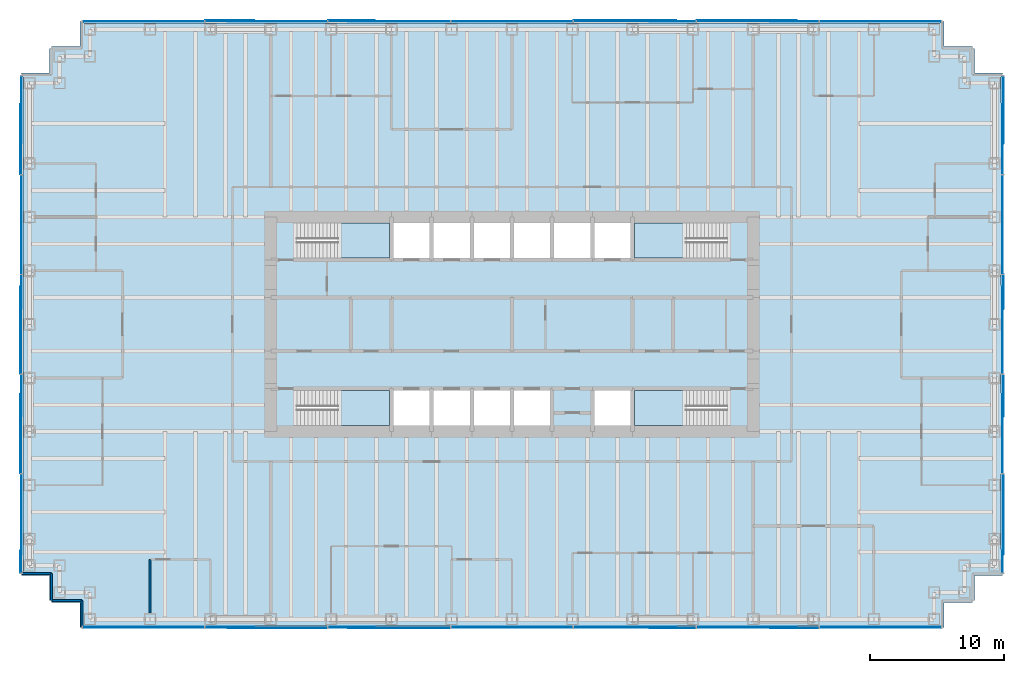
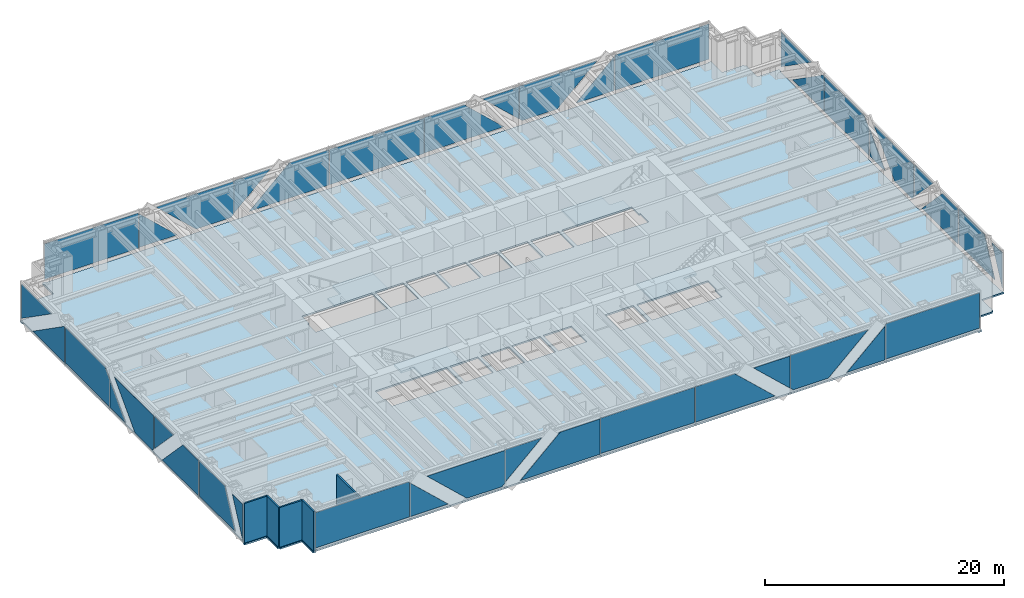
# One storey, part 10 of 15: 40 plates, 5 slabs, 5 walls, 8 elements without a shape of their own.
"""IFC4 building model written with IfcOpenShell, lengths in metres."""

from ifc_helpers import new_model, si_unit, direction, frame, frame_2d, origin, origin_2d, place, context, subcontext, project, spatial, polyline, rectangle, outline, extrude, material, layer, layer_set, type_object, element, aggregate, save


model = new_model("IFC4")

# Units and contexts
model_context = context("Model", 3, precision=1e-05, world=origin(), true_north=direction((0.0, 1.0)))
body_context = subcontext(model_context, "Body", "Model", "MODEL_VIEW")
ifc_project = project(units=[si_unit("LENGTHUNIT", "METRE"), si_unit("AREAUNIT", "SQUARE_METRE"), si_unit("VOLUMEUNIT", "CUBIC_METRE"), si_unit("PLANEANGLEUNIT", "RADIAN"), si_unit("MASSUNIT", "GRAM", prefix="KILO")], contexts=[model_context])

# Site, building, storey
site_placement = place(None, origin())
site = spatial("IfcSite", under=ifc_project, at=site_placement, CompositionType="ELEMENT")
building_placement = place(site_placement, origin())
building = spatial("IfcBuilding", under=site, at=building_placement, Name="Rheinbord Bourse Tower", CompositionType="ELEMENT")
storey_placement = place(building_placement, frame((0.0, 0.0, 142.5)))
storey = spatial("IfcBuildingStorey", under=building, at=storey_placement, Name="L31", CompositionType="ELEMENT", Elevation=142.5)

# Slab
ifc_material_1 = material(Name="Concrete C30/37", Category="concrete")
ifc_layer_1 = layer(ifc_material_1, 0.159912109375)
ifc_layer_set_1 = layer_set([ifc_layer_1], Name="COMPOSITE FLOOR SLAB 160")
slab_type_1 = type_object("IfcSlabType", Name="COMPOSITE FLOOR SLAB 160", PredefinedType="FLOOR", material=ifc_layer_set_1)
slab_1_placement = place(storey_placement, frame((0.0, 0.0, -0.159912109375)))
element("IfcSlab", 1, at=slab_1_placement, inside=storey, type_object=slab_type_1, Name="Floor slab L31", PredefinedType="FLOOR", context=body_context, shape_type="SweptSolid", body=[
    extrude(outline(polyline([(1.64990234375, 3.39990234375), (1.5, 3.39990234375), (1.5, 5.25), (-0.60009765625, 5.25), (-0.60009765625, 5.550048828125), (-0.5, 5.550048828125), (-0.5, 42.449951171875), (-0.60009765625, 42.449951171875), (-0.60009765625, 42.75), (1.5, 42.75), (1.5, 44.60009765625), (1.64990234375, 44.60009765625), (1.64990234375, 44.75), (3.75, 44.75), (3.75, 46.60009765625), (4.050048828125, 46.60009765625), (4.050048828125, 46.5), (67.949951171875, 46.5), (67.949951171875, 46.60009765625), (68.25, 46.60009765625), (68.25, 44.75), (70.35009765625, 44.75), (70.35009765625, 44.60009765625), (70.5, 44.60009765625), (70.5, 42.75), (72.60009765625, 42.75), (72.60009765625, 42.449951171875), (72.5, 42.449951171875), (72.5, 5.550048828125), (72.60009765625, 5.550048828125), (72.60009765625, 5.25), (70.5, 5.25), (70.5, 3.39990234375), (70.35009765625, 3.39990234375), (70.35009765625, 3.25), (68.25, 3.25), (68.25, 1.39990234375), (67.949951171875, 1.39990234375), (67.949951171875, 1.5), (4.050048828125, 1.5), (4.050048828125, 1.39990234375), (3.75, 1.39990234375), (3.75, 3.25), (1.64990234375, 3.25), (1.64990234375, 3.39990234375)]), holes=[polyline([(19.949951171875, 19.050048828125), (26.85009765625, 19.050048828125), (26.85009765625, 16.449951171875), (20.10009765625, 16.449951171875), (20.10009765625, 17.64990234375), (19.949951171875, 17.64990234375), (19.949951171875, 19.050048828125)]), polyline([(26.85009765625, 31.550048828125), (26.85009765625, 28.949951171875), (19.949951171875, 28.949951171875), (19.949951171875, 30.35009765625), (20.10009765625, 30.35009765625), (20.10009765625, 31.550048828125), (26.85009765625, 31.550048828125)]), polyline([(45.14990234375, 16.449951171875), (45.14990234375, 19.050048828125), (52.050048828125, 19.050048828125), (52.050048828125, 17.64990234375), (51.89990234375, 17.64990234375), (51.89990234375, 16.449951171875), (45.14990234375, 16.449951171875)]), polyline([(52.050048828125, 28.949951171875), (45.14990234375, 28.949951171875), (45.14990234375, 31.550048828125), (51.89990234375, 31.550048828125), (51.89990234375, 30.35009765625), (52.050048828125, 30.35009765625), (52.050048828125, 28.949951171875)]), polyline([(27.14990234375, 16.449951171875), (27.14990234375, 19.050048828125), (29.85009765625, 19.050048828125), (29.85009765625, 16.449951171875), (27.14990234375, 16.449951171875)]), polyline([(27.14990234375, 28.949951171875), (27.14990234375, 31.550048828125), (29.85009765625, 31.550048828125), (29.85009765625, 28.949951171875), (27.14990234375, 28.949951171875)]), polyline([(30.14990234375, 16.449951171875), (30.14990234375, 19.050048828125), (32.85009765625, 19.050048828125), (32.85009765625, 16.449951171875), (30.14990234375, 16.449951171875)]), polyline([(30.14990234375, 28.949951171875), (30.14990234375, 31.550048828125), (32.85009765625, 31.550048828125), (32.85009765625, 28.949951171875), (30.14990234375, 28.949951171875)]), polyline([(33.14990234375, 16.449951171875), (33.14990234375, 19.050048828125), (35.85009765625, 19.050048828125), (35.85009765625, 16.449951171875), (33.14990234375, 16.449951171875)]), polyline([(33.14990234375, 28.949951171875), (33.14990234375, 31.550048828125), (35.85009765625, 31.550048828125), (35.85009765625, 28.949951171875), (33.14990234375, 28.949951171875)]), polyline([(36.14990234375, 16.449951171875), (36.14990234375, 19.050048828125), (38.85009765625, 19.050048828125), (38.85009765625, 16.449951171875), (36.14990234375, 16.449951171875)]), polyline([(36.14990234375, 28.949951171875), (36.14990234375, 31.550048828125), (38.85009765625, 31.550048828125), (38.85009765625, 28.949951171875), (36.14990234375, 28.949951171875)]), polyline([(39.14990234375, 28.949951171875), (39.14990234375, 31.550048828125), (41.85009765625, 31.550048828125), (41.85009765625, 28.949951171875), (39.14990234375, 28.949951171875)]), polyline([(42.14990234375, 16.449951171875), (42.14990234375, 19.050048828125), (44.85009765625, 19.050048828125), (44.85009765625, 16.449951171875), (42.14990234375, 16.449951171875)]), polyline([(42.14990234375, 28.949951171875), (42.14990234375, 31.550048828125), (44.85009765625, 31.550048828125), (44.85009765625, 28.949951171875), (42.14990234375, 28.949951171875)])]), origin(), (0.0, 0.0, 1.0), 0.159912109375),
])

# Curtain wall, plates
ifc_material_2 = material(Name="Dark glass and black aluminium", Category="aluminium")
curtain_wall_type = type_object("IfcCurtainWallType", Name="CW2 DARK GLASS CURTAIN WALL", PredefinedType="USERDEFINED", material=ifc_material_2)
curtain_wall_1_placement = place(storey_placement, origin())
curtain_wall_1 = element("IfcCurtainWall", 2, at=curtain_wall_1_placement, inside=storey, type_object=curtain_wall_type, Name="Curtain wall CW2 S L31", ObjectType="UNITISED CURTAIN WALL", PredefinedType="USERDEFINED")
ifc_material_3 = material(Name="Dark tinted triple insulating glass", Category="glass")
ifc_layer_2 = layer(ifc_material_3, 0.050048828125)
ifc_layer_set_2 = layer_set([ifc_layer_2], Name="CW2 DARK GLASS PANEL")
plate_type = type_object("IfcPlateType", Name="CW2 DARK GLASS PANEL", PredefinedType="CURTAIN_PANEL", material=ifc_layer_set_2)
plate_1_placement = place(storey_placement, frame((36.0, 1.39990234375, 0.300048828125), z_axis=(0.0, 0.0, 1.0), x_axis=(1.0, 0.0, 0.0)))
plate_1 = element("IfcPlate", 3, at=plate_1_placement, type_object=plate_type, Name="CW2 panel 4.1", PredefinedType="CURTAIN_PANEL", context=body_context, shape_type="SweptSolid", body=[
    extrude(rectangle(XDim=9.101318359375, YDim=0.050048828125, at=origin_2d()), origin(), (0.0, 0.0, 1.0), 3.60009765625),
])
plate_2_placement = place(storey_placement, frame((13.035888671875, 1.375, 0.300048828125), z_axis=(0.0, 1.0, 0.0), x_axis=(-1.0, 0.0, 0.0)))
plate_2 = element("IfcPlate", 4, at=plate_2_placement, type_object=plate_type, Name="CW2 glass facet 1", PredefinedType="CURTAIN_PANEL", context=body_context, shape_type="SweptSolid", body=[
    extrude(outline(polyline([(0.0, 0.0), (9.06591796875, 0.0), (9.06591796875, 3.599853515625), (0.100830078125, 3.599853515625), (0.0, 3.5048828125), (0.0, 0.0)])), origin(), (0.0, 0.0, 1.0), 0.050048828125),
])
plate_3_placement = place(storey_placement, frame((13.10595703125, 1.375, 0.300048828125), z_axis=(0.0, 1.0, 0.0), x_axis=(0.0, 0.0, 1.0)))
plate_3 = element("IfcPlate", 5, at=plate_3_placement, type_object=plate_type, Name="CW2 glass facet 1", PredefinedType="CURTAIN_PANEL", context=body_context, shape_type="SweptSolid", body=[
    extrude(outline(polyline([(0.0, 0.0), (3.43994140625, 0.0), (0.0, 3.68603515625), (0.0, 0.0)])), origin(), (0.0, 0.0, 1.0), 0.050048828125),
])
plate_4_placement = place(storey_placement, frame((18.56494140625, 1.31982421875, 0.300048828125), z_axis=(0.0, 1.0, 0.0), x_axis=(-0.731050651729, 0.0, 0.682323196591)))
plate_4 = element("IfcPlate", 6, at=plate_4_placement, type_object=plate_type, Name="CW2 glass facet 2", PredefinedType="CURTAIN_PANEL", context=body_context, shape_type="SweptSolid", body=[
    extrude(outline(polyline([(0.0, 0.0), (5.27587890625, 0.0), (-0.20703125, 5.117431640625), (-2.4892578125, 2.672119140625), (-2.463623046875, 2.299560546875), (0.0, 0.0)])), origin(), (0.0, 0.0, 1.0), 0.050048828125),
])
plate_5_placement = place(storey_placement, frame((22.278076171875, 1.375, 3.89990234375), z_axis=(0.0, 1.0, 0.0), x_axis=(1.0, 0.0, 0.0)))
plate_5 = element("IfcPlate", 7, at=plate_5_placement, type_object=plate_type, Name="CW2 glass facet 1", PredefinedType="CURTAIN_PANEL", context=body_context, shape_type="SweptSolid", body=[
    extrude(outline(polyline([(0.0, 0.0), (3.513916015625, 0.0), (0.0, 3.27978515625), (0.0, 0.0)])), origin(), (0.0, 0.0, 1.0), 0.050048828125),
])
plate_6_placement = place(storey_placement, frame((31.37890625, 1.31982421875, 3.89990234375), z_axis=(0.0, 1.0, 0.0), x_axis=(0.0, 0.0, -1.0)))
plate_6 = element("IfcPlate", 8, at=plate_6_placement, type_object=plate_type, Name="CW2 glass facet 2", PredefinedType="CURTAIN_PANEL", context=body_context, shape_type="SweptSolid", body=[
    extrude(outline(polyline([(0.0, 0.0), (3.599853515625, 0.0), (3.599853515625, 7.6708984375), (0.0, 3.81396484375), (0.0, 0.0)])), origin(), (0.0, 0.0, 1.0), 0.050048828125),
])
plate_7_placement = place(storey_placement, frame((40.62109375, 1.375, 0.300048828125), z_axis=(0.0, 1.0, 0.0), x_axis=(0.0, 0.0, 1.0)))
plate_7 = element("IfcPlate", 9, at=plate_7_placement, type_object=plate_type, Name="CW2 glass facet 1", PredefinedType="CURTAIN_PANEL", context=body_context, shape_type="SweptSolid", body=[
    extrude(outline(polyline([(0.0, 0.0), (3.599853515625, 0.0), (3.599853515625, 3.81396484375), (0.0, 7.6708984375), (0.0, 0.0)])), origin(), (0.0, 0.0, 1.0), 0.050048828125),
])
plate_8_placement = place(storey_placement, frame((49.721923828125, 1.31982421875, 3.89990234375), z_axis=(0.0, 1.0, 0.0), x_axis=(0.0, 0.0, -1.0)))
plate_8 = element("IfcPlate", 10, at=plate_8_placement, type_object=plate_type, Name="CW2 glass facet 2", PredefinedType="CURTAIN_PANEL", context=body_context, shape_type="SweptSolid", body=[
    extrude(outline(polyline([(0.0, 0.0), (3.27978515625, 0.0), (0.0, 3.513916015625), (0.0, 0.0)])), origin(), (0.0, 0.0, 1.0), 0.050048828125),
])
plate_9_placement = place(storey_placement, frame((50.06494140625, 1.375, 0.300048828125), z_axis=(0.0, 1.0, 0.0), x_axis=(-0.730881327913, 0.0, 0.68250456739)))
plate_9 = element("IfcPlate", 11, at=plate_9_placement, type_object=plate_type, Name="CW2 glass facet 1", PredefinedType="CURTAIN_PANEL", context=body_context, shape_type="SweptSolid", body=[
    extrude(outline(polyline([(0.0, 0.0), (0.37353515625, 0.0), (2.656494140625, 2.44482421875), (-2.8251953125, 7.5634765625), (-2.463134765625, 2.300048828125), (0.0, 0.0)])), origin(), (0.0, 0.0, 1.0), 0.050048828125),
])
plate_10_placement = place(storey_placement, frame((58.89404296875, 1.31982421875, 0.300048828125), z_axis=(0.0, 1.0, 0.0), x_axis=(-1.0, 0.0, 0.0)))
plate_10 = element("IfcPlate", 12, at=plate_10_placement, type_object=plate_type, Name="CW2 glass facet 2", PredefinedType="CURTAIN_PANEL", context=body_context, shape_type="SweptSolid", body=[
    extrude(outline(polyline([(0.0, 0.0), (3.68603515625, 0.0), (0.0, 3.43994140625), (0.0, 0.0)])), origin(), (0.0, 0.0, 1.0), 0.050048828125),
])
plate_11_placement = place(storey_placement, frame((68.030029296875, 1.375, 3.89990234375), z_axis=(0.0, 1.0, 0.0), x_axis=(0.0, 0.0, -1.0)))
plate_11 = element("IfcPlate", 13, at=plate_11_placement, type_object=plate_type, Name="CW2 glass facet 1", PredefinedType="CURTAIN_PANEL", context=body_context, shape_type="SweptSolid", body=[
    extrude(outline(polyline([(0.0, 0.0), (3.599853515625, 0.0), (3.599853515625, 9.06591796875), (0.094970703125, 9.06591796875), (0.0, 8.965087890625), (0.0, 0.0)])), origin(), (0.0, 0.0, 1.0), 0.050048828125),
])
aggregate(curtain_wall_1, [plate_1, plate_2, plate_3, plate_4, plate_5, plate_6, plate_7, plate_8, plate_9, plate_10, plate_11])

curtain_wall_2_placement = place(storey_placement, origin())
curtain_wall_2 = element("IfcCurtainWall", 14, at=curtain_wall_2_placement, inside=storey, type_object=curtain_wall_type, Name="Curtain wall CW2 E L31", ObjectType="UNITISED CURTAIN WALL", PredefinedType="USERDEFINED")
plate_12_placement = place(storey_placement, frame((72.625, 5.469970703125, 0.300048828125), z_axis=(-1.0, 0.0, 0.0), x_axis=(0.0, 0.0, 1.0)))
plate_12 = element("IfcPlate", 15, at=plate_12_placement, type_object=plate_type, Name="CW2 glass facet 1", PredefinedType="CURTAIN_PANEL", context=body_context, shape_type="SweptSolid", body=[
    extrude(outline(polyline([(0.0, 0.0), (3.599853515625, 0.0), (3.599853515625, 1.717041015625), (0.0, 0.0029296875), (0.0, 0.0)])), origin(), (0.0, 0.0, 1.0), 0.050048828125),
])
plate_13_placement = place(storey_placement, frame((72.68017578125, 12.804931640625, 3.89990234375), z_axis=(-1.0, 0.0, 0.0), x_axis=(0.0, 0.0, -1.0)))
plate_13 = element("IfcPlate", 16, at=plate_13_placement, type_object=plate_type, Name="CW2 glass facet 2", PredefinedType="CURTAIN_PANEL", context=body_context, shape_type="SweptSolid", body=[
    extrude(outline(polyline([(0.0, 0.0), (3.599853515625, 0.0), (3.599853515625, 5.991943359375), (0.0, 4.27783203125), (0.0, 0.0)])), origin(), (0.0, 0.0, 1.0), 0.050048828125),
])
plate_14_placement = place(storey_placement, frame((72.625, 12.875, 0.300048828125), z_axis=(-1.0, 0.0, 0.0), x_axis=(0.0, 0.0, 1.0)))
plate_14 = element("IfcPlate", 17, at=plate_14_placement, type_object=plate_type, Name="CW2 glass facet 1", PredefinedType="CURTAIN_PANEL", context=body_context, shape_type="SweptSolid", body=[
    extrude(outline(polyline([(0.0, 0.0), (3.599853515625, 0.0), (3.599853515625, 2.574951171875), (0.0, 6.00390625), (0.0, 0.0)])), origin(), (0.0, 0.0, 1.0), 0.050048828125),
])
plate_15_placement = place(storey_placement, frame((72.68017578125, 20.2451171875, 3.89990234375), z_axis=(-1.0, 0.0, 0.0), x_axis=(0.0, 0.0, -1.0)))
plate_15 = element("IfcPlate", 18, at=plate_15_placement, type_object=plate_type, Name="CW2 glass facet 2", PredefinedType="CURTAIN_PANEL", context=body_context, shape_type="SweptSolid", body=[
    extrude(outline(polyline([(0.0, 0.0), (3.27978515625, 0.0), (0.0, 3.1240234375), (0.0, 0.0)])), origin(), (0.0, 0.0, 1.0), 0.050048828125),
])
plate_16_placement = place(storey_placement, frame((72.625, 20.550048828125, 0.300048828125), z_axis=(-1.0, 0.0, 0.0), x_axis=(0.0, -0.689351242624, 0.724427266392)))
plate_16 = element("IfcPlate", 19, at=plate_16_placement, type_object=plate_type, Name="CW2 glass facet 1", PredefinedType="CURTAIN_PANEL", context=body_context, shape_type="SweptSolid", body=[
    extrude(outline(polyline([(0.0, 0.0), (0.341064453125, 0.0), (2.77001953125, 2.311279296875), (-1.7548828125, 7.06640625), (-1.9990234375, 2.100830078125), (0.0, 0.0)])), origin(), (0.0, 0.0, 1.0), 0.050048828125),
])
plate_17_placement = place(storey_placement, frame((72.68017578125, 27.68505859375, 0.300048828125), z_axis=(-1.0, 0.0, 0.0), x_axis=(0.0, -1.0, 0.0)))
plate_17 = element("IfcPlate", 20, at=plate_17_placement, type_object=plate_type, Name="CW2 glass facet 2", PredefinedType="CURTAIN_PANEL", context=body_context, shape_type="SweptSolid", body=[
    extrude(outline(polyline([(0.0, 0.0), (2.56396484375, 0.0), (0.0, 2.69189453125), (0.0, 0.0)])), origin(), (0.0, 0.0, 1.0), 0.050048828125),
])
plate_18_placement = place(storey_placement, frame((72.625, 35.125, 3.89990234375), z_axis=(-1.0, 0.0, 0.0), x_axis=(0.0, 0.0, -1.0)))
plate_18 = element("IfcPlate", 21, at=plate_18_placement, type_object=plate_type, Name="CW2 glass facet 1", PredefinedType="CURTAIN_PANEL", context=body_context, shape_type="SweptSolid", body=[
    extrude(outline(polyline([(0.0, 0.0), (3.599853515625, 0.0), (3.599853515625, 7.3701171875), (0.8349609375, 7.3701171875), (0.0, 6.574951171875), (0.0, 0.0)])), origin(), (0.0, 0.0, 1.0), 0.050048828125),
])
plate_19_placement = place(storey_placement, frame((72.625, 35.195068359375, 0.300048828125), z_axis=(-1.0, 0.0, 0.0), x_axis=(0.0, 0.0, 1.0)))
plate_19 = element("IfcPlate", 22, at=plate_19_placement, type_object=plate_type, Name="CW2 glass facet 1", PredefinedType="CURTAIN_PANEL", context=body_context, shape_type="SweptSolid", body=[
    extrude(outline(polyline([(0.0, 0.0), (3.599853515625, 0.0), (3.599853515625, 0.178955078125), (0.0, 5.321044921875), (0.0, 0.0)])), origin(), (0.0, 0.0, 1.0), 0.050048828125),
])
plate_20_placement = place(storey_placement, frame((72.68017578125, 42.530029296875, 3.89990234375), z_axis=(-1.0, 0.0, 0.0), x_axis=(0.0, 0.0, -1.0)))
plate_20 = element("IfcPlate", 23, at=plate_20_placement, type_object=plate_type, Name="CW2 glass facet 2", PredefinedType="CURTAIN_PANEL", context=body_context, shape_type="SweptSolid", body=[
    extrude(outline(polyline([(0.0, 0.0), (3.532958984375, 0.0), (0.0, 5.046142578125), (0.0, 0.0)])), origin(), (0.0, 0.0, 1.0), 0.050048828125),
])
aggregate(curtain_wall_2, [plate_12, plate_13, plate_14, plate_15, plate_16, plate_17, plate_18, plate_19, plate_20])

curtain_wall_3_placement = place(storey_placement, origin())
curtain_wall_3 = element("IfcCurtainWall", 24, at=curtain_wall_3_placement, inside=storey, type_object=curtain_wall_type, Name="Curtain wall CW2 N L31", ObjectType="UNITISED CURTAIN WALL", PredefinedType="USERDEFINED")
plate_21_placement = place(storey_placement, frame((36.0, 46.60009765625, 0.300048828125), z_axis=(0.0, 0.0, 1.0), x_axis=(-1.0, 0.0, 0.0)))
plate_21 = element("IfcPlate", 25, at=plate_21_placement, type_object=plate_type, Name="CW2 panel 4.1", PredefinedType="CURTAIN_PANEL", context=body_context, shape_type="SweptSolid", body=[
    extrude(rectangle(XDim=9.101318359375, YDim=0.050048828125, at=origin_2d()), origin(), (0.0, 0.0, 1.0), 3.60009765625),
])
plate_22_placement = place(storey_placement, frame((58.964111328125, 46.625, 0.300048828125), z_axis=(0.0, -1.0, 0.0), x_axis=(1.0, 0.0, 0.0)))
plate_22 = element("IfcPlate", 26, at=plate_22_placement, type_object=plate_type, Name="CW2 glass facet 1", PredefinedType="CURTAIN_PANEL", context=body_context, shape_type="SweptSolid", body=[
    extrude(outline(polyline([(0.0, 0.0), (9.06591796875, 0.0), (9.06591796875, 3.599853515625), (0.100830078125, 3.599853515625), (0.0, 3.5048828125), (0.0, 0.0)])), origin(), (0.0, 0.0, 1.0), 0.050048828125),
])
plate_23_placement = place(storey_placement, frame((58.89404296875, 46.625, 0.300048828125), z_axis=(0.0, -1.0, 0.0), x_axis=(0.0, 0.0, 1.0)))
plate_23 = element("IfcPlate", 27, at=plate_23_placement, type_object=plate_type, Name="CW2 glass facet 1", PredefinedType="CURTAIN_PANEL", context=body_context, shape_type="SweptSolid", body=[
    extrude(outline(polyline([(0.0, 0.0), (3.43994140625, 0.0), (0.0, 3.68603515625), (0.0, 0.0)])), origin(), (0.0, 0.0, 1.0), 0.050048828125),
])
plate_24_placement = place(storey_placement, frame((53.43505859375, 46.68017578125, 0.300048828125), z_axis=(0.0, -1.0, 0.0), x_axis=(0.731050651729, 0.0, 0.682323196591)))
plate_24 = element("IfcPlate", 28, at=plate_24_placement, type_object=plate_type, Name="CW2 glass facet 2", PredefinedType="CURTAIN_PANEL", context=body_context, shape_type="SweptSolid", body=[
    extrude(outline(polyline([(0.0, 0.0), (5.27587890625, 0.0), (-0.20703125, 5.117431640625), (-2.4892578125, 2.672119140625), (-2.463623046875, 2.299560546875), (0.0, 0.0)])), origin(), (0.0, 0.0, 1.0), 0.050048828125),
])
plate_25_placement = place(storey_placement, frame((49.721923828125, 46.625, 3.89990234375), z_axis=(0.0, -1.0, 0.0), x_axis=(-1.0, 0.0, 0.0)))
plate_25 = element("IfcPlate", 29, at=plate_25_placement, type_object=plate_type, Name="CW2 glass facet 1", PredefinedType="CURTAIN_PANEL", context=body_context, shape_type="SweptSolid", body=[
    extrude(outline(polyline([(0.0, 0.0), (3.513916015625, 0.0), (0.0, 3.27978515625), (0.0, 0.0)])), origin(), (0.0, 0.0, 1.0), 0.050048828125),
])
plate_26_placement = place(storey_placement, frame((40.62109375, 46.68017578125, 3.89990234375), z_axis=(0.0, -1.0, 0.0), x_axis=(0.0, 0.0, -1.0)))
plate_26 = element("IfcPlate", 30, at=plate_26_placement, type_object=plate_type, Name="CW2 glass facet 2", PredefinedType="CURTAIN_PANEL", context=body_context, shape_type="SweptSolid", body=[
    extrude(outline(polyline([(0.0, 0.0), (3.599853515625, 0.0), (3.599853515625, 7.6708984375), (0.0, 3.81396484375), (0.0, 0.0)])), origin(), (0.0, 0.0, 1.0), 0.050048828125),
])
plate_27_placement = place(storey_placement, frame((31.37890625, 46.625, 0.300048828125), z_axis=(0.0, -1.0, 0.0), x_axis=(0.0, 0.0, 1.0)))
plate_27 = element("IfcPlate", 31, at=plate_27_placement, type_object=plate_type, Name="CW2 glass facet 1", PredefinedType="CURTAIN_PANEL", context=body_context, shape_type="SweptSolid", body=[
    extrude(outline(polyline([(0.0, 0.0), (3.599853515625, 0.0), (3.599853515625, 3.81396484375), (0.0, 7.6708984375), (0.0, 0.0)])), origin(), (0.0, 0.0, 1.0), 0.050048828125),
])
plate_28_placement = place(storey_placement, frame((22.278076171875, 46.68017578125, 3.89990234375), z_axis=(0.0, -1.0, 0.0), x_axis=(0.0, 0.0, -1.0)))
plate_28 = element("IfcPlate", 32, at=plate_28_placement, type_object=plate_type, Name="CW2 glass facet 2", PredefinedType="CURTAIN_PANEL", context=body_context, shape_type="SweptSolid", body=[
    extrude(outline(polyline([(0.0, 0.0), (3.27978515625, 0.0), (0.0, 3.513916015625), (0.0, 0.0)])), origin(), (0.0, 0.0, 1.0), 0.050048828125),
])
plate_29_placement = place(storey_placement, frame((21.93505859375, 46.625, 0.300048828125), z_axis=(0.0, -1.0, 0.0), x_axis=(0.730881327913, 0.0, 0.68250456739)))
plate_29 = element("IfcPlate", 33, at=plate_29_placement, type_object=plate_type, Name="CW2 glass facet 1", PredefinedType="CURTAIN_PANEL", context=body_context, shape_type="SweptSolid", body=[
    extrude(outline(polyline([(0.0, 0.0), (0.37353515625, 0.0), (2.656494140625, 2.44482421875), (-2.8251953125, 7.5634765625), (-2.463134765625, 2.300048828125), (0.0, 0.0)])), origin(), (0.0, 0.0, 1.0), 0.050048828125),
])
plate_30_placement = place(storey_placement, frame((13.10595703125, 46.68017578125, 0.300048828125), z_axis=(0.0, -1.0, 0.0), x_axis=(1.0, 0.0, 0.0)))
plate_30 = element("IfcPlate", 34, at=plate_30_placement, type_object=plate_type, Name="CW2 glass facet 2", PredefinedType="CURTAIN_PANEL", context=body_context, shape_type="SweptSolid", body=[
    extrude(outline(polyline([(0.0, 0.0), (3.68603515625, 0.0), (0.0, 3.43994140625), (0.0, 0.0)])), origin(), (0.0, 0.0, 1.0), 0.050048828125),
])
plate_31_placement = place(storey_placement, frame((3.969970703125, 46.625, 3.89990234375), z_axis=(0.0, -1.0, 0.0), x_axis=(0.0, 0.0, -1.0)))
plate_31 = element("IfcPlate", 35, at=plate_31_placement, type_object=plate_type, Name="CW2 glass facet 1", PredefinedType="CURTAIN_PANEL", context=body_context, shape_type="SweptSolid", body=[
    extrude(outline(polyline([(0.0, 0.0), (3.599853515625, 0.0), (3.599853515625, 9.06591796875), (0.094970703125, 9.06591796875), (0.0, 8.965087890625), (0.0, 0.0)])), origin(), (0.0, 0.0, 1.0), 0.050048828125),
])
aggregate(curtain_wall_3, [plate_21, plate_22, plate_23, plate_24, plate_25, plate_26, plate_27, plate_28, plate_29, plate_30, plate_31])

curtain_wall_4_placement = place(storey_placement, origin())
curtain_wall_4 = element("IfcCurtainWall", 36, at=curtain_wall_4_placement, inside=storey, type_object=curtain_wall_type, Name="Curtain wall CW2 W L31", ObjectType="UNITISED CURTAIN WALL", PredefinedType="USERDEFINED")
plate_32_placement = place(storey_placement, frame((-0.625, 42.530029296875, 3.89990234375), z_axis=(1.0, 0.0, 0.0), x_axis=(0.0, -1.0, 0.0)))
plate_32 = element("IfcPlate", 37, at=plate_32_placement, type_object=plate_type, Name="CW2 glass facet 1", PredefinedType="CURTAIN_PANEL", context=body_context, shape_type="SweptSolid", body=[
    extrude(outline(polyline([(0.0, 0.0), (5.046142578125, 0.0), (0.0, 3.532958984375), (0.0, 0.0)])), origin(), (0.0, 0.0, 1.0), 0.050048828125),
])
plate_33_placement = place(storey_placement, frame((-0.68017578125, 35.195068359375, 3.89990234375), z_axis=(1.0, 0.0, 0.0), x_axis=(0.0, 0.0, -1.0)))
plate_33 = element("IfcPlate", 38, at=plate_33_placement, type_object=plate_type, Name="CW2 glass facet 2", PredefinedType="CURTAIN_PANEL", context=body_context, shape_type="SweptSolid", body=[
    extrude(outline(polyline([(0.0, 0.0), (3.599853515625, 0.0), (3.599853515625, 5.321044921875), (0.0, 0.178955078125), (0.0, 0.0)])), origin(), (0.0, 0.0, 1.0), 0.050048828125),
])
plate_34_placement = place(storey_placement, frame((-0.625, 27.7548828125, 0.300048828125), z_axis=(1.0, 0.0, 0.0), x_axis=(0.0, 1.0, 0.0)))
plate_34 = element("IfcPlate", 39, at=plate_34_placement, type_object=plate_type, Name="CW2 glass facet 1", PredefinedType="CURTAIN_PANEL", context=body_context, shape_type="SweptSolid", body=[
    extrude(outline(polyline([(0.0, 0.0), (7.3701171875, 0.0), (7.3701171875, 3.599853515625), (0.795166015625, 3.599853515625), (0.0, 2.764892578125), (0.0, 0.0)])), origin(), (0.0, 0.0, 1.0), 0.050048828125),
])
plate_35_placement = place(storey_placement, frame((-0.625, 27.68505859375, 0.300048828125), z_axis=(1.0, 0.0, 0.0), x_axis=(0.0, 0.0, 1.0)))
plate_35 = element("IfcPlate", 40, at=plate_35_placement, type_object=plate_type, Name="CW2 glass facet 1", PredefinedType="CURTAIN_PANEL", context=body_context, shape_type="SweptSolid", body=[
    extrude(outline(polyline([(0.0, 0.0), (2.69189453125, 0.0), (0.0, 2.56396484375), (0.0, 0.0)])), origin(), (0.0, 0.0, 1.0), 0.050048828125),
])
plate_36_placement = place(storey_placement, frame((-0.68017578125, 23.449951171875, 0.300048828125), z_axis=(1.0, 0.0, 0.0), x_axis=(0.0, 0.689710350299, 0.724085376658)))
plate_36 = element("IfcPlate", 41, at=plate_36_placement, type_object=plate_type, Name="CW2 glass facet 2", PredefinedType="CURTAIN_PANEL", context=body_context, shape_type="SweptSolid", body=[
    extrude(outline(polyline([(0.0, 0.0), (4.9716796875, 0.0), (0.4443359375, 4.7529296875), (-1.9833984375, 2.4404296875), (-2.0, 2.099853515625), (0.0, 0.0)])), origin(), (0.0, 0.0, 1.0), 0.050048828125),
])
plate_37_placement = place(storey_placement, frame((-0.625, 20.2451171875, 3.89990234375), z_axis=(1.0, 0.0, 0.0), x_axis=(0.0, -1.0, 0.0)))
plate_37 = element("IfcPlate", 42, at=plate_37_placement, type_object=plate_type, Name="CW2 glass facet 1", PredefinedType="CURTAIN_PANEL", context=body_context, shape_type="SweptSolid", body=[
    extrude(outline(polyline([(0.0, 0.0), (3.1240234375, 0.0), (0.0, 3.27978515625), (0.0, 0.0)])), origin(), (0.0, 0.0, 1.0), 0.050048828125),
])
plate_38_placement = place(storey_placement, frame((-0.68017578125, 12.875, 3.89990234375), z_axis=(1.0, 0.0, 0.0), x_axis=(0.0, 0.0, -1.0)))
plate_38 = element("IfcPlate", 43, at=plate_38_placement, type_object=plate_type, Name="CW2 glass facet 2", PredefinedType="CURTAIN_PANEL", context=body_context, shape_type="SweptSolid", body=[
    extrude(outline(polyline([(0.0, 0.0), (3.599853515625, 0.0), (3.599853515625, 6.00390625), (0.0, 2.574951171875), (0.0, 0.0)])), origin(), (0.0, 0.0, 1.0), 0.050048828125),
])
plate_39_placement = place(storey_placement, frame((-0.625, 12.804931640625, 0.300048828125), z_axis=(1.0, 0.0, 0.0), x_axis=(0.0, 0.0, 1.0)))
plate_39 = element("IfcPlate", 44, at=plate_39_placement, type_object=plate_type, Name="CW2 glass facet 1", PredefinedType="CURTAIN_PANEL", context=body_context, shape_type="SweptSolid", body=[
    extrude(outline(polyline([(0.0, 0.0), (3.599853515625, 0.0), (3.599853515625, 4.27783203125), (0.0, 5.991943359375), (0.0, 0.0)])), origin(), (0.0, 0.0, 1.0), 0.050048828125),
])
plate_40_placement = place(storey_placement, frame((-0.68017578125, 5.469970703125, 3.89990234375), z_axis=(1.0, 0.0, 0.0), x_axis=(0.0, 0.0, -1.0)))
plate_40 = element("IfcPlate", 45, at=plate_40_placement, type_object=plate_type, Name="CW2 glass facet 2", PredefinedType="CURTAIN_PANEL", context=body_context, shape_type="SweptSolid", body=[
    extrude(outline(polyline([(0.0, 0.0), (3.599853515625, 0.0), (3.599853515625, 0.0029296875), (0.0, 1.717041015625), (0.0, 0.0)])), origin(), (0.0, 0.0, 1.0), 0.050048828125),
])
aggregate(curtain_wall_4, [plate_32, plate_33, plate_34, plate_35, plate_36, plate_37, plate_38, plate_39, plate_40])

# Stair, slab
ifc_material_4 = material(Name="Concrete C30/37", Category="concrete")
stair_type = type_object("IfcStairType", Name="CORE STAIR HALF TURN 4200", PredefinedType="HALF_TURN_STAIR", material=ifc_material_4)
stair_1_placement = place(storey_placement, origin())
stair_1 = element("IfcStair", 46, at=stair_1_placement, inside=storey, type_object=stair_type, Name="Stair ST1 L31, type CS6", PredefinedType="HALF_TURN_STAIR")
ifc_material_5 = material(Name="Concrete C30/37", Category="concrete")
ifc_layer_3 = layer(ifc_material_5, 0.199951171875)
ifc_layer_set_3 = layer_set([ifc_layer_3], Name="STAIR LANDING 200")
slab_type_2 = type_object("IfcSlabType", Name="STAIR LANDING 200", PredefinedType="LANDING", material=ifc_layer_set_3)
slab_2_placement = place(storey_placement, frame((0.0, 0.0, 1.89990234375)))
slab_2 = element("IfcSlab", 47, at=slab_2_placement, type_object=slab_type_2, Name="Half landing ST1 L31", PredefinedType="LANDING", context=body_context, shape_type="SweptSolid", body=[
    extrude(outline(polyline([(23.030029296875, 16.449951171875), (26.85009765625, 16.449951171875), (26.85009765625, 19.050048828125), (21.748046875, 19.050048828125), (21.748046875, 17.85009765625), (23.030029296875, 17.85009765625), (23.030029296875, 16.449951171875)])), origin(), (0.0, 0.0, 1.0), 0.2001953125),
])
aggregate(stair_1, [slab_2])

stair_2_placement = place(storey_placement, origin())
stair_2 = element("IfcStair", 48, at=stair_2_placement, inside=storey, type_object=stair_type, Name="Stair ST2 L31, type CS6", PredefinedType="HALF_TURN_STAIR")
slab_3_placement = place(storey_placement, frame((0.0, 0.0, 1.89990234375)))
slab_3 = element("IfcSlab", 49, at=slab_3_placement, type_object=slab_type_2, Name="Half landing ST2 L31", PredefinedType="LANDING", context=body_context, shape_type="SweptSolid", body=[
    extrude(outline(polyline([(21.748046875, 28.949951171875), (26.85009765625, 28.949951171875), (26.85009765625, 31.550048828125), (23.030029296875, 31.550048828125), (23.030029296875, 30.14990234375), (21.748046875, 30.14990234375), (21.748046875, 28.949951171875)])), origin(), (0.0, 0.0, 1.0), 0.2001953125),
])
aggregate(stair_2, [slab_3])

stair_3_placement = place(storey_placement, origin())
stair_3 = element("IfcStair", 50, at=stair_3_placement, inside=storey, type_object=stair_type, Name="Stair ST3 L31, type CS6", PredefinedType="HALF_TURN_STAIR")
slab_4_placement = place(storey_placement, frame((0.0, 0.0, 1.89990234375)))
slab_4 = element("IfcSlab", 51, at=slab_4_placement, type_object=slab_type_2, Name="Half landing ST3 L31", PredefinedType="LANDING", context=body_context, shape_type="SweptSolid", body=[
    extrude(outline(polyline([(45.14990234375, 16.449951171875), (48.969970703125, 16.449951171875), (48.969970703125, 17.85009765625), (50.251953125, 17.85009765625), (50.251953125, 19.050048828125), (45.14990234375, 19.050048828125), (45.14990234375, 16.449951171875)])), origin(), (0.0, 0.0, 1.0), 0.2001953125),
])
aggregate(stair_3, [slab_4])

stair_4_placement = place(storey_placement, origin())
stair_4 = element("IfcStair", 52, at=stair_4_placement, inside=storey, type_object=stair_type, Name="Stair ST4 L31, type CS6", PredefinedType="HALF_TURN_STAIR")
slab_5_placement = place(storey_placement, frame((0.0, 0.0, 1.89990234375)))
slab_5 = element("IfcSlab", 53, at=slab_5_placement, type_object=slab_type_2, Name="Half landing ST4 L31", PredefinedType="LANDING", context=body_context, shape_type="SweptSolid", body=[
    extrude(outline(polyline([(45.14990234375, 28.949951171875), (50.251953125, 28.949951171875), (50.251953125, 30.14990234375), (48.969970703125, 30.14990234375), (48.969970703125, 31.550048828125), (45.14990234375, 31.550048828125), (45.14990234375, 28.949951171875)])), origin(), (0.0, 0.0, 1.0), 0.2001953125),
])
aggregate(stair_4, [slab_5])

# Walls
ifc_material_6 = material(Name="Black metal rainscreen panel", Category="aluminium")
ifc_layer_4 = layer(ifc_material_6, 0.14990234375)
ifc_layer_set_4 = layer_set([ifc_layer_4], Name="CORNER PIER CLADDING 150")
wall_type_1 = type_object("IfcWallType", Name="CORNER PIER CLADDING 150", PredefinedType="ELEMENTEDWALL", material=ifc_layer_set_4)
wall_1_placement = place(storey_placement, frame((-0.60009765625, 5.39990234375, 0.0), z_axis=(0.0, 0.0, 1.0), x_axis=(1.0, 0.0, 0.0)))
element("IfcWall", 54, at=wall_1_placement, inside=storey, type_object=wall_type_1, Name="Corner pier cladding L31 17", PredefinedType="ELEMENTEDWALL", context=body_context, shape_type="SweptSolid", body=[
    extrude(rectangle(XDim=2.25, YDim=0.14990234375, at=frame_2d((1.125, 0.0))), origin(), (0.0, 0.0, 1.0), 4.0400390625),
])
wall_2_placement = place(storey_placement, frame((1.64990234375, 5.39990234375, 0.0), z_axis=(0.0, 0.0, 1.0), x_axis=(0.0, -1.0, 0.0)))
element("IfcWall", 55, at=wall_2_placement, inside=storey, type_object=wall_type_1, Name="Corner pier cladding L31 18", PredefinedType="ELEMENTEDWALL", context=body_context, shape_type="SweptSolid", body=[
    extrude(rectangle(XDim=2.0, YDim=0.14990234375, at=frame_2d((1.0, 0.0))), origin(), (0.0, 0.0, 1.0), 4.0400390625),
])
wall_3_placement = place(storey_placement, frame((1.64990234375, 3.39990234375, 0.0), z_axis=(0.0, 0.0, 1.0), x_axis=(1.0, 0.0, 0.0)))
element("IfcWall", 56, at=wall_3_placement, inside=storey, type_object=wall_type_1, Name="Corner pier cladding L31 19", PredefinedType="ELEMENTEDWALL", context=body_context, shape_type="SweptSolid", body=[
    extrude(rectangle(XDim=2.25, YDim=0.14990234375, at=frame_2d((1.125, 0.0))), origin(), (0.0, 0.0, 1.0), 4.0400390625),
])
wall_4_placement = place(storey_placement, frame((3.89990234375, 3.39990234375, 0.0), z_axis=(0.0, 0.0, 1.0), x_axis=(0.0, -1.0, 0.0)))
element("IfcWall", 57, at=wall_4_placement, inside=storey, type_object=wall_type_1, Name="Corner pier cladding L31 20", PredefinedType="ELEMENTEDWALL", context=body_context, shape_type="SweptSolid", body=[
    extrude(rectangle(XDim=2.0, YDim=0.14990234375, at=frame_2d((1.0, 0.0))), origin(), (0.0, 0.0, 1.0), 4.0400390625),
])
ifc_material_7 = material(Name="Gypsum board partition", Category="gypsum board")
ifc_layer_5 = layer(ifc_material_7, 0.14990234375)
ifc_layer_set_5 = layer_set([ifc_layer_5], Name="PARTITION 150")
wall_type_2 = type_object("IfcWallType", Name="PARTITION 150", PredefinedType="PARTITIONING", material=ifc_layer_set_5)
wall_5_placement = place(storey_placement, frame((9.0, 2.449951171875, 0.0), z_axis=(0.0, 0.0, 1.0), x_axis=(0.0, 1.0, 0.0)))
element("IfcWall", 58, at=wall_5_placement, inside=storey, type_object=wall_type_2, Name="Partition L31-26", PredefinedType="PARTITIONING", context=body_context, shape_type="SweptSolid", body=[
    extrude(rectangle(XDim=4.0, YDim=0.14990234375, at=frame_2d((2.0, 0.0))), origin(), (0.0, 0.0, 1.0), 3.0),
])

save(model, "model.ifc")
